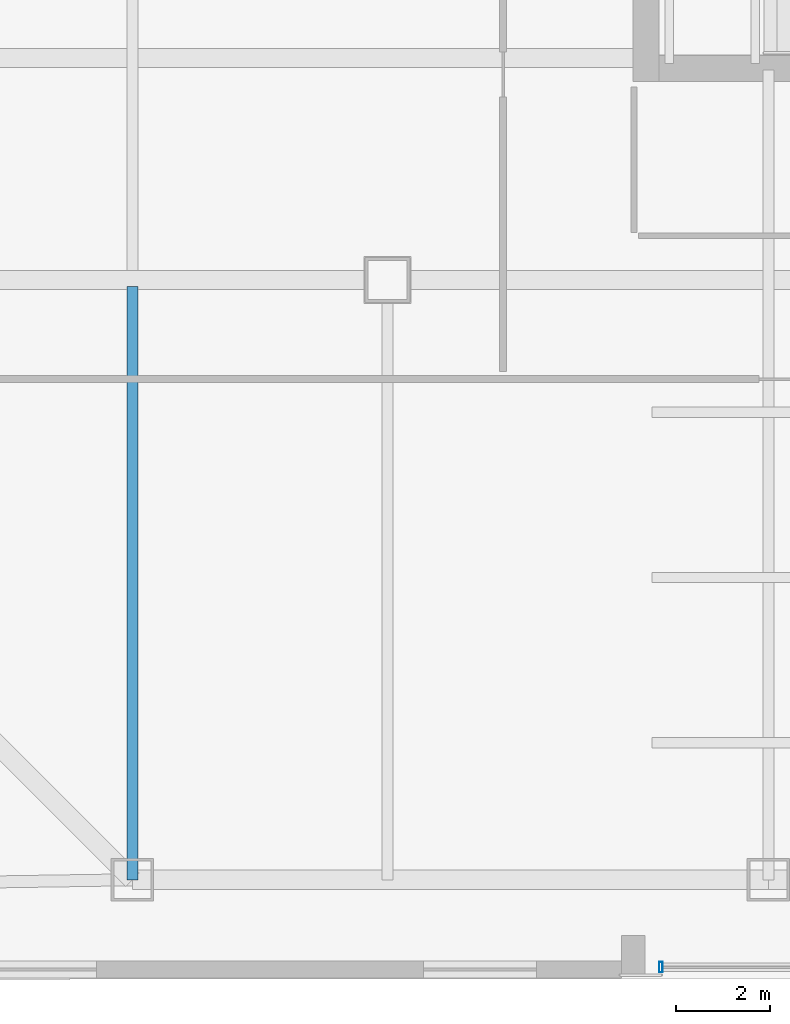
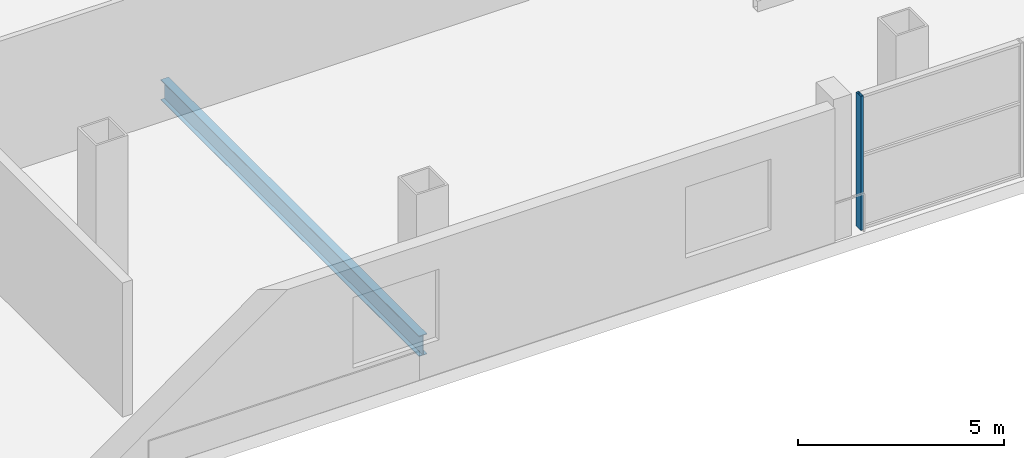
# One storey, part 2 of 21: 1 beam, 1 member, 1 element without a shape of its own.
"""IFC4 building model written with IfcOpenShell, lengths in metres."""

from ifc_helpers import new_model, si_unit, direction, frame, origin, origin_2d, place, context, subcontext, project, spatial, hollow_rectangle, i_section, extrude, material, layer, layer_set, material_profile, profile_set, type_object, element, aggregate, save


model = new_model("IFC4")

# Units and contexts
model_context = context("Model", 3, precision=1e-05, world=origin(), true_north=direction((0.0, 1.0)))
body_context = subcontext(model_context, "Body", "Model", "MODEL_VIEW")
ifc_project = project(units=[si_unit("LENGTHUNIT", "METRE"), si_unit("AREAUNIT", "SQUARE_METRE"), si_unit("VOLUMEUNIT", "CUBIC_METRE"), si_unit("PLANEANGLEUNIT", "RADIAN"), si_unit("MASSUNIT", "GRAM", prefix="KILO")], contexts=[model_context])

# Site, building, storey
site_placement = place(None, origin())
site = spatial("IfcSite", under=ifc_project, at=site_placement, CompositionType="ELEMENT")
building_placement = place(site_placement, origin())
building = spatial("IfcBuilding", under=site, at=building_placement, Name="Qhalaya Broadcast Tower", CompositionType="ELEMENT")
storey_placement = place(building_placement, frame((0.0, 0.0, 21.89990234375)))
storey = spatial("IfcBuildingStorey", under=building, at=storey_placement, Name="L05", CompositionType="ELEMENT", Elevation=21.89990234375)

# Beam
ifc_material_1 = material(Name="Structural Steel ASTM A992 Grade 50", Category="steel")
ifc_material_profile_1 = material_profile(ifc_material_1, i_section(OverallWidth=0.22802734375, OverallDepth=0.60693359375, WebThickness=0.01123046875, FlangeThickness=0.017333984375, at=origin_2d()), Name="W24X76")
ifc_profile_set_1 = profile_set([ifc_material_profile_1], Name="Structural Steel ASTM A992 Grade 50")
beam_type = type_object("IfcBeamType", Name="Composite Floor Joist J01", PredefinedType="JOIST", material=ifc_profile_set_1)
beam_placement = place(storey_placement, frame((-20.199951171875, -25.89990234375, -0.683349609375), z_axis=(0.0, 1.0, 0.0), x_axis=(-1.0, 0.0, 0.0)))
element("IfcBeam", 1, at=beam_placement, inside=storey, type_object=beam_type, Name="L05 J01 L05-JS-S-20.2", PredefinedType="JOIST", context=body_context, shape_type="SweptSolid", body=[
    extrude(i_section(OverallWidth=0.22802734375, OverallDepth=0.60693359375, WebThickness=0.01123046875, FlangeThickness=0.017333984375, at=origin_2d()), origin(), (0.0, 0.0, 1.0), 12.559814453125),
])

# Curtain wall, member
ifc_material_2 = material(Name="Solar-Control Low-E Triple Glazing", Category="glass")
ifc_layer = layer(ifc_material_2, 0.219970703125, Name="Solar-Control Low-E Triple Glazing")
ifc_layer_set = layer_set([ifc_layer], Name="Solar-Control Low-E Triple Glazing")
curtain_wall_type = type_object("IfcCurtainWallType", Name="Podium Concourse Triple-Height Glazed Portal CW-01", PredefinedType="NOTDEFINED", material=ifc_layer_set)
curtain_wall_placement = place(storey_placement, origin())
curtain_wall = element("IfcCurtainWall", 2, at=curtain_wall_placement, inside=storey, type_object=curtain_wall_type, Name="L05 Unitised Curtain Wall L05-CW01-S", PredefinedType="NOTDEFINED")
ifc_material_3 = material(Name="Anodised Aluminium 6063-T6", Category="aluminium")
ifc_material_profile_2 = material_profile(ifc_material_3, hollow_rectangle(XDim=0.074951171875, YDim=0.219970703125, WallThickness=0.00390625, at=origin_2d()), Name="ALU-MUL 75x220x4")
ifc_profile_set_2 = profile_set([ifc_material_profile_2], Name="Anodised Aluminium 6063-T6")
member_type = type_object("IfcMemberType", Name="Unitised Curtain-Wall Mullion M01", PredefinedType="MULLION", material=ifc_profile_set_2)
member_placement = place(storey_placement, frame((-9.012451171875, -27.75, 0.0), z_axis=(0.0, 0.0, 1.0), x_axis=(1.0, 0.0, 0.0)))
member = element("IfcMember", 3, at=member_placement, type_object=member_type, Name="CW-01 mullion 1", PredefinedType="MULLION", context=body_context, shape_type="SweptSolid", body=[
    extrude(hollow_rectangle(XDim=0.074951171875, YDim=0.219970703125, WallThickness=0.00390625, at=origin_2d()), origin(), (0.0, 0.0, 1.0), 3.97998046875),
])
aggregate(curtain_wall, [member])

save(model, "model.ifc")
